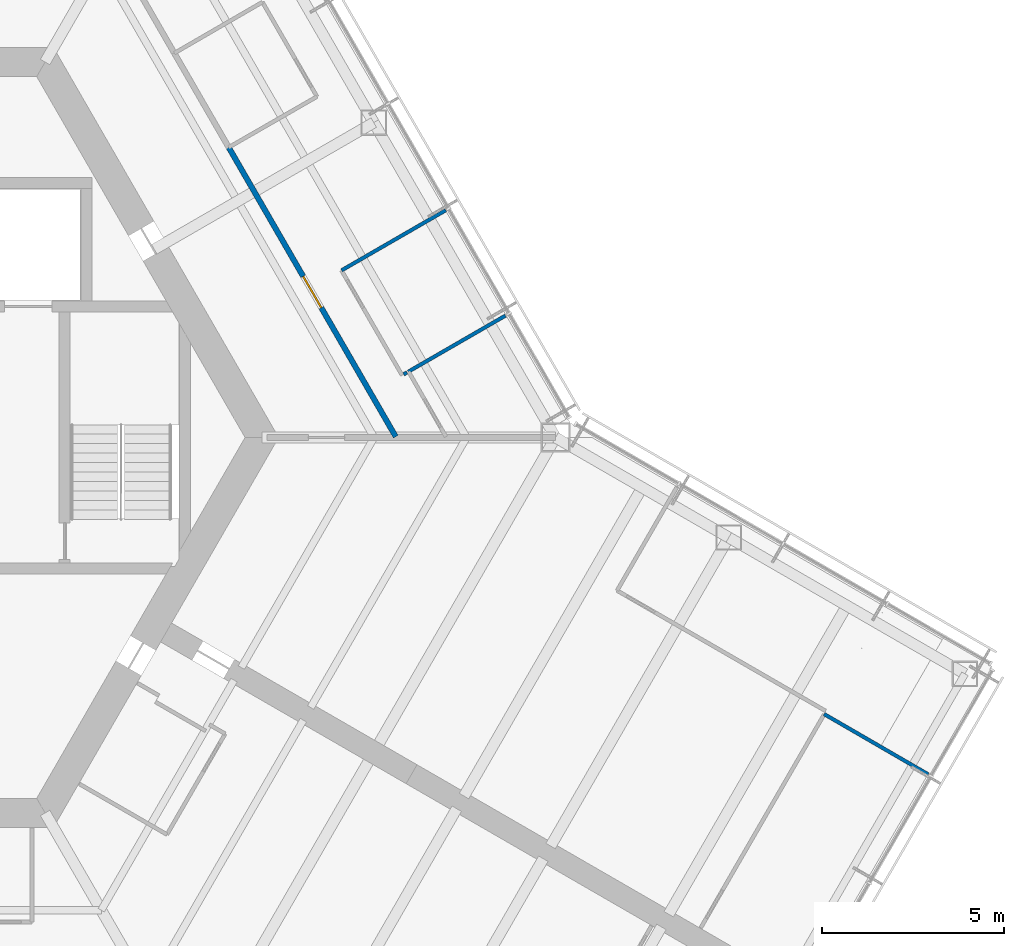
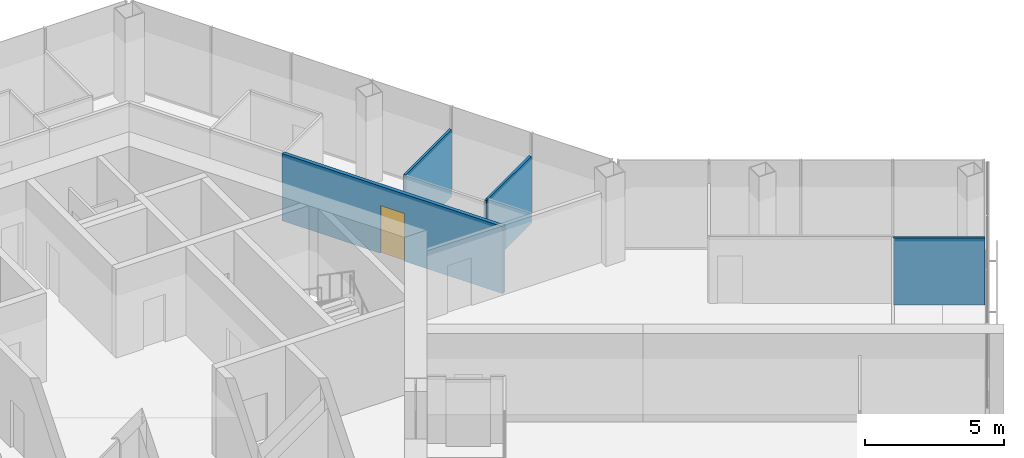
# One storey, part 13 of 17: 5 walls, 1 door, 1 opening.
"""IFC4 building model written with IfcOpenShell, lengths in metres."""

from ifc_helpers import new_model, si_unit, direction, frame, frame_2d, origin, place, context, subcontext, project, spatial, rectangle, extrude, material, layer, layer_set, type_object, element, fill, save


model = new_model("IFC4")

# Units and contexts
model_context = context("Model", 3, precision=1e-05, world=origin(), true_north=direction((0.0, 1.0)))
body_context = subcontext(model_context, "Body", "Model", "MODEL_VIEW")
ifc_project = project(units=[si_unit("LENGTHUNIT", "METRE"), si_unit("AREAUNIT", "SQUARE_METRE"), si_unit("VOLUMEUNIT", "CUBIC_METRE"), si_unit("PLANEANGLEUNIT", "RADIAN"), si_unit("MASSUNIT", "GRAM", prefix="KILO")], contexts=[model_context])

# Site, building, storey
site_placement = place(None, origin())
site = spatial("IfcSite", under=ifc_project, at=site_placement, CompositionType="ELEMENT")
building_placement = place(site_placement, origin())
building = spatial("IfcBuilding", under=site, at=building_placement, Name="Kasaneha Research Tower", CompositionType="ELEMENT")
storey_placement = place(building_placement, frame((0.0, 0.0, 224.5)))
storey = spatial("IfcBuildingStorey", under=building, at=storey_placement, Name="L56", CompositionType="ELEMENT", Elevation=224.5)

# Walls
ifc_material_1 = material(Name="Gypsum board on steel studs, one layer each side", Category="steel")
ifc_layer_1 = layer(ifc_material_1, 0.10009765625)
ifc_layer_set_1 = layer_set([ifc_layer_1], Name="Office partition 100")
wall_type_1 = type_object("IfcWallType", Name="Office partition 100", PredefinedType="PARTITIONING", material=ifc_layer_set_1)
wall_1_placement = place(storey_placement, frame((18.619873046875, 3.3505859375, 0.0), z_axis=(0.0, 0.0, 1.0), x_axis=(-0.866043267704, -0.499969057507, 0.0)))
element("IfcWall", 1, at=wall_1_placement, inside=storey, type_object=wall_type_1, Name="Office partition FAE13 L56", PredefinedType="PARTITIONING", context=body_context, shape_type="SweptSolid", body=[
    extrude(rectangle(XDim=3.085205078125, YDim=0.10009765625, at=frame_2d((1.54248046875, 0.0))), origin(), (0.0, 0.0, 1.0), 2.949951171875),
])
wall_2_placement = place(storey_placement, frame((14.11376953125, 4.59521484375, 0.0), z_axis=(0.0, 0.0, 1.0), x_axis=(0.866033287653, 0.49998634449, 0.0)))
element("IfcWall", 2, at=wall_2_placement, inside=storey, type_object=wall_type_1, Name="Office partition FAE14 L56", PredefinedType="PARTITIONING", context=body_context, shape_type="SweptSolid", body=[
    extrude(rectangle(XDim=3.31005859375, YDim=0.10009765625, at=frame_2d((1.655029296875, 0.0))), origin(), (0.0, 0.0, 1.0), 2.949951171875),
])
wall_3_placement = place(storey_placement, frame((30.250244140625, -9.26611328125, 0.0), z_axis=(0.0, 0.0, 1.0), x_axis=(-0.865342122637, 0.501181614577, 0.0)))
element("IfcWall", 3, at=wall_3_placement, inside=storey, type_object=wall_type_1, Name="Office partition FCE01 L56", PredefinedType="PARTITIONING", context=body_context, shape_type="SweptSolid", body=[
    extrude(rectangle(XDim=3.310546875, YDim=0.10009765625, at=frame_2d((1.6552734375, 0.0))), origin(), (0.0, 0.0, 1.0), 2.949951171875),
])
wall_4_placement = place(storey_placement, frame((15.82275390625, 1.7353515625, 0.0), z_axis=(0.0, 0.0, 1.0), x_axis=(0.867234405398, 0.497900076415, 0.0)))
element("IfcWall", 4, at=wall_4_placement, inside=storey, type_object=wall_type_1, Name="Office partition closer PT5 L56", PredefinedType="PARTITIONING", context=body_context, shape_type="SweptSolid", body=[
    extrude(rectangle(XDim=0.1044921875, YDim=0.10009765625, at=frame_2d((0.05224609375, 0.0))), origin(), (0.0, 0.0, 1.0), 2.949951171875),
])

# Wall, opening, door
ifc_material_2 = material(Name="Gypsum board on steel studs, two layers each side", Category="steel")
ifc_layer_2 = layer(ifc_material_2, 0.14990234375)
ifc_layer_set_2 = layer_set([ifc_layer_2], Name="Suite partition 150")
wall_type_2 = type_object("IfcWallType", Name="Suite partition 150", PredefinedType="PARTITIONING", material=ifc_layer_set_2)
wall_5_placement = place(storey_placement, frame((11.0107421875, 7.978759765625, 0.0), z_axis=(0.0, 0.0, 1.0), x_axis=(0.49999917462, -0.866025880317, 0.0)))
wall_5 = element("IfcWall", 5, at=wall_5_placement, inside=storey, type_object=wall_type_2, Name="Suite partition FAE05 L56", PredefinedType="PARTITIONING", context=body_context, shape_type="SweptSolid", body=[
    extrude(rectangle(XDim=9.18994140625, YDim=0.14990234375, at=frame_2d((4.594970703125, 0.0))), origin(), (0.0, 0.0, 1.0), 2.949951171875),
])
opening_placement = place(wall_5_placement, frame((4.094970703125, 0.0, 0.0)))
opening = element("IfcOpeningElement", 6, at=opening_placement, cuts=wall_5, Name="Opening L56-D27", PredefinedType="OPENING", context=body_context, shape_type="SweptSolid", body=[
    extrude(rectangle(XDim=1.0, YDim=2.10009765625, at=frame_2d((0.5, 1.050048828125))), frame((0.0, 0.0849609375, 0.0), z_axis=(0.0, -1.0, 0.0), x_axis=(1.0, 0.0, 0.0)), (0.0, 0.0, 1.0), 0.169921875),
])
ifc_material_3 = material(Name="Steel", Category="steel")
door_type = type_object("IfcDoorType", Name="Suite entrance door FD60 1000x2100", OperationType="NOTDEFINED", PredefinedType="DOOR", material=ifc_material_3)
door_placement = place(opening_placement, origin())
door = element("IfcDoor", 7, at=door_placement, inside=storey, type_object=door_type, Name="Suite entrance door L56-D27", OperationType="SINGLE_SWING_LEFT", OverallHeight=2.10009765625, OverallWidth=1.0, PredefinedType="DOOR", context=body_context, shape_type="SweptSolid", body=[
    extrude(rectangle(XDim=1.0, YDim=2.10009765625, at=frame_2d((0.5, 1.050048828125))), frame((0.0, 0.02490234375, 0.0), z_axis=(0.0, -1.0, 0.0), x_axis=(1.0, 0.0, 0.0)), (0.0, 0.0, 1.0), 0.050048828125),
])
fill(opening, door)

save(model, "model.ifc")
